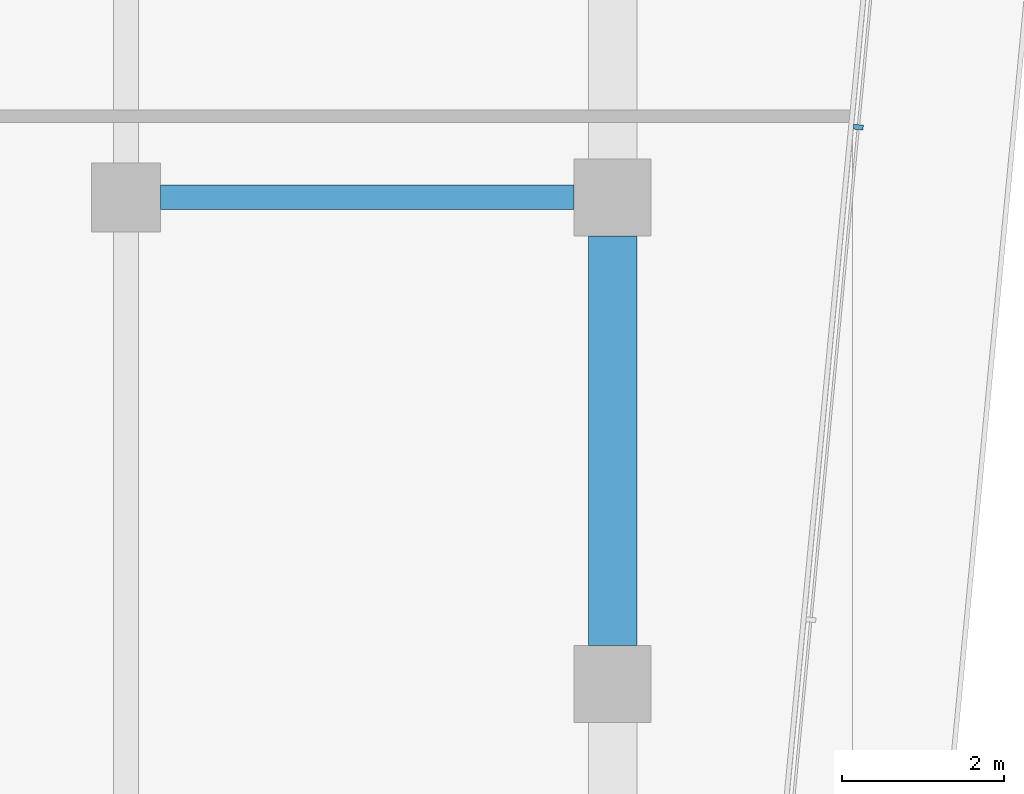
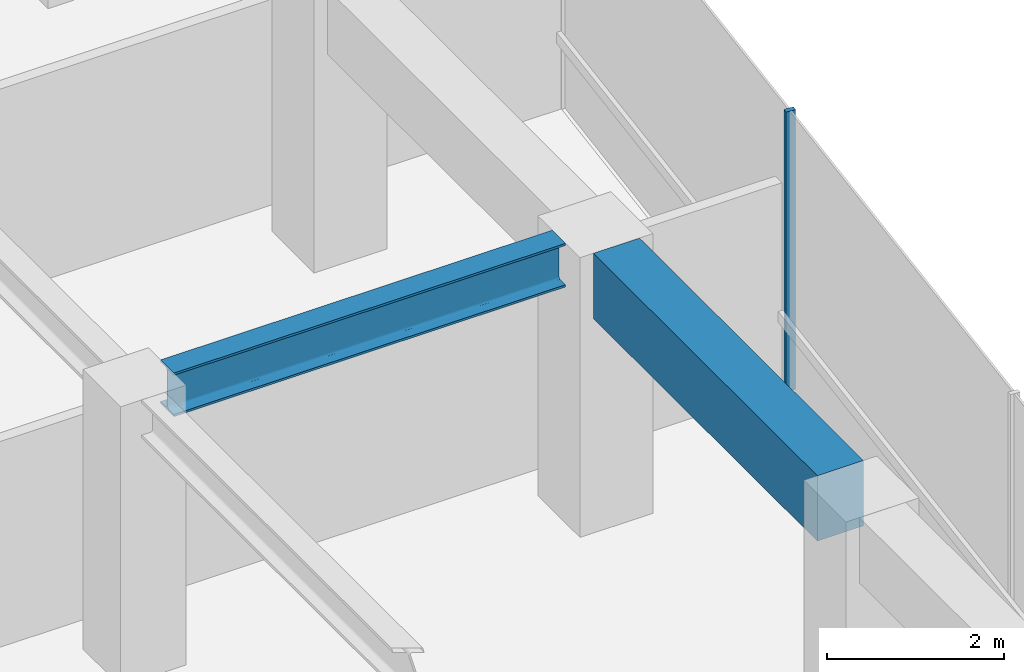
# One storey, part 17 of 31: 2 beams, 1 member, 1 element without a shape of its own.
"""IFC4 building model written with IfcOpenShell, lengths in metres."""

from ifc_helpers import new_model, si_unit, direction, frame, origin, origin_2d, place, context, subcontext, project, spatial, rectangle, i_section, extrude, material, layer, layer_set, material_profile, profile_set, type_object, element, aggregate, save


model = new_model("IFC4")

# Units and contexts
model_context = context("Model", 3, precision=1e-05, world=origin(), true_north=direction((0.0, 1.0)))
body_context = subcontext(model_context, "Body", "Model", "MODEL_VIEW")
ifc_project = project(units=[si_unit("LENGTHUNIT", "METRE"), si_unit("AREAUNIT", "SQUARE_METRE"), si_unit("VOLUMEUNIT", "CUBIC_METRE"), si_unit("PLANEANGLEUNIT", "RADIAN"), si_unit("MASSUNIT", "GRAM", prefix="KILO")], contexts=[model_context])

# Site, building, storey
site_placement = place(None, origin())
site = spatial("IfcSite", under=ifc_project, at=site_placement, CompositionType="ELEMENT")
building_placement = place(site_placement, origin())
building = spatial("IfcBuilding", under=site, at=building_placement, Name="Welwitschia Terrace Campus", CompositionType="ELEMENT")
storey_placement = place(building_placement, frame((0.0, 0.0, 29.0)))
storey = spatial("IfcBuildingStorey", under=building, at=storey_placement, Name="L06", CompositionType="ELEMENT", Elevation=29.0)

# Curtain wall, member
ifc_material_1 = material(Name="Bronze anodised aluminium", Category="aluminium")
ifc_layer = layer(ifc_material_1, 0.1201171875)
ifc_layer_set = layer_set([ifc_layer], Name="Bronze anodised aluminium")
curtain_wall_type = type_object("IfcCurtainWallType", Name="Curtain wall CW2 tower 6000", PredefinedType="NOTDEFINED", material=ifc_layer_set)
curtain_wall_placement = place(storey_placement, origin())
curtain_wall = element("IfcCurtainWall", 1, at=curtain_wall_placement, inside=storey, type_object=curtain_wall_type, Name="CW L06.12.0", PredefinedType="NOTDEFINED")
ifc_material_2 = material(Name="Bronze anodised aluminium", Category="aluminium")
ifc_material_profile_1 = material_profile(ifc_material_2, rectangle(XDim=0.1201171875, YDim=0.06005859375, at=origin_2d()))
ifc_profile_set_1 = profile_set([ifc_material_profile_1], Name="Bronze anodised aluminium")
member_type = type_object("IfcMemberType", Name="Mullion 60x120", PredefinedType="MULLION", material=ifc_profile_set_1)
member_placement = place(storey_placement, frame((27.029541015625, 44.86572265625, 0.0), z_axis=(0.0, 0.0, 1.0), x_axis=(-0.995396198367, 0.09584575252, 0.0)))
member = element("IfcMember", 2, at=member_placement, type_object=member_type, Name="Mullion L06.12.0.3", PredefinedType="MULLION", context=body_context, shape_type="SweptSolid", body=[
    extrude(rectangle(XDim=0.1201171875, YDim=0.06005859375, at=origin_2d()), origin(), (0.0, 0.0, 1.0), 3.85009765625),
])
aggregate(curtain_wall, [member])

# Beams
ifc_material_3 = material(Name="Steel S355", Category="steel")
ifc_material_profile_2 = material_profile(ifc_material_3, i_section(OverallWidth=0.300048828125, OverallDepth=0.60009765625, WebThickness=0.015380859375, FlangeThickness=0.030029296875, FilletRadius=0.027099609375, at=origin_2d()))
ifc_profile_set_2 = profile_set([ifc_material_profile_2], Name="Steel S355")
beam_type_1 = type_object("IfcBeamType", Name="Primary beam HE 600 B", PredefinedType="BEAM", material=ifc_profile_set_2)
beam_1_placement = place(storey_placement, frame((23.5244140625, 44.0, 3.550048828125), z_axis=(-1.0, 0.0, 0.0), x_axis=(0.0, -1.0, 0.0)))
element("IfcBeam", 3, at=beam_1_placement, inside=storey, type_object=beam_type_1, Name="Primary beam PB2", PredefinedType="BEAM", context=body_context, shape_type="SweptSolid", body=[
    extrude(i_section(OverallWidth=0.300048828125, OverallDepth=0.60009765625, WebThickness=0.015380859375, FlangeThickness=0.030029296875, FilletRadius=0.027099609375, at=origin_2d()), origin(), (0.0, 0.0, 1.0), 5.098876953125),
])
ifc_material_4 = material(Name="Concrete C60/75", Category="concrete")
ifc_material_profile_3 = material_profile(ifc_material_4, rectangle(XDim=0.60009765625, YDim=0.89990234375, at=origin_2d()))
ifc_profile_set_3 = profile_set([ifc_material_profile_3], Name="Concrete C60/75")
beam_type_2 = type_object("IfcBeamType", Name="Ring spandrel 600x900", PredefinedType="SPANDREL", material=ifc_profile_set_3)
beam_2_placement = place(storey_placement, frame((24.0, 38.4755859375, 3.39990234375), z_axis=(0.0, 1.0, 0.0), x_axis=(-1.0, 0.0, 0.0)))
element("IfcBeam", 4, at=beam_2_placement, inside=storey, type_object=beam_type_2, Name="Spandrel SP2", PredefinedType="SPANDREL", context=body_context, shape_type="SweptSolid", body=[
    extrude(rectangle(XDim=0.60009765625, YDim=0.89990234375, at=origin_2d()), origin(), (0.0, 0.0, 1.0), 5.048828125),
])

save(model, "model.ifc")
